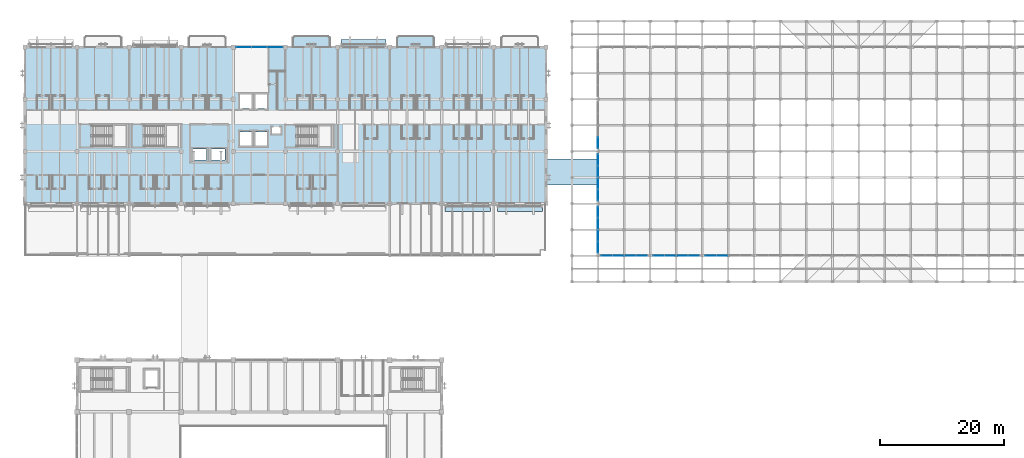
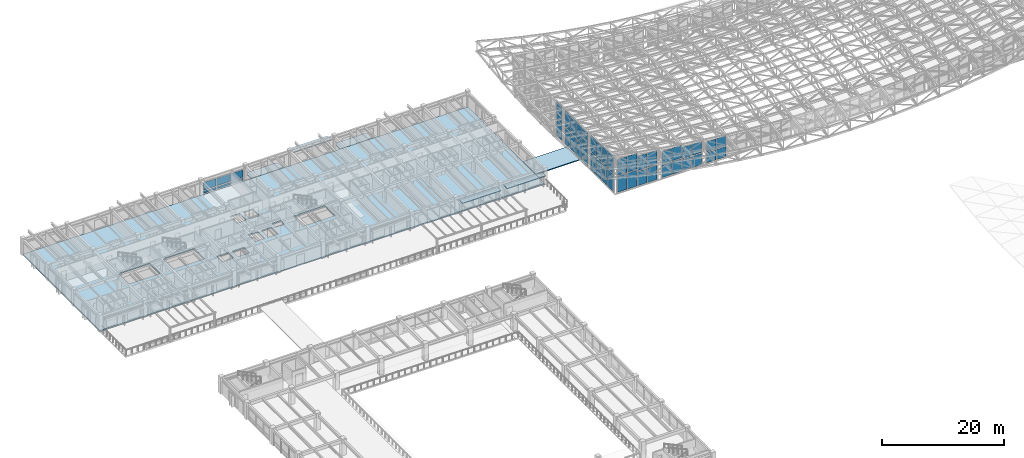
# One storey, part 64 of 111: 47 plates, 4 slabs, 14 elements without a shape of their own.
"""IFC4 building model written with IfcOpenShell, lengths in metres."""

import ifcopenshell
import ifcopenshell.guid

model = None  # the IFC model being written
_history = None  # IfcOwnerHistory: only IFC2X3 demands one
_inside = {}  # id of a spatial element -> (the spatial element, [elements in it])
_under = {}  # id of a project, library or spatial element -> (it, [spatial elements below it])
_declared = {}  # id of a project -> (the project, [libraries it declares])
_typed = {}  # id of a type object -> (the type object, [elements of that type])
_made_of = {}  # id of a material, layer set ... -> (it, [elements and type objects made of it])


def new_model(schema):
    """Start an empty IFC model of exactly this schema.

    Asked for "IFC4X3", IfcOpenShell would pick the latest addendum, in which some entities
    have other attributes; the version numbers below select the first issue.
    IFC2X3 requires an IfcOwnerHistory on every rooted entity: one is made here for all.
    """
    global model, _history
    if schema == "IFC4X3":
        model = ifcopenshell.file(schema_version=(4, 3, 0, 0))
    else:
        model = ifcopenshell.file(schema=schema)
    _inside.clear()
    _under.clear()
    _declared.clear()
    _typed.clear()
    _made_of.clear()
    _history = None
    if model.schema == "IFC2X3":
        org = make("IfcOrganization", Name="unknown")
        user = make(
            "IfcPersonAndOrganization",
            ThePerson=make("IfcPerson", FamilyName="unknown"),
            TheOrganization=org,
        )
        app = make(
            "IfcApplication",
            ApplicationDeveloper=org,
            Version="unknown",
            ApplicationFullName="unknown",
            ApplicationIdentifier="unknown",
        )
        _history = make(
            "IfcOwnerHistory",
            OwningUser=user,
            OwningApplication=app,
            ChangeAction="ADDED",
            CreationDate=0,
        )
    return model


def make(cls, **values):
    """One entity of the class cls with the attributes given. An attribute that is None is left unset."""
    return model.create_entity(
        cls, **{name: value for name, value in values.items() if value is not None}
    )


def rooted(cls, **values):
    """An entity with a GlobalId (a new one), such as an element, a storey or a relation."""
    return make(cls, GlobalId=ifcopenshell.guid.new(), OwnerHistory=_history, **values)


def si_unit(unit_type, name, prefix=None):
    """IfcSIUnit, for example si_unit("LENGTHUNIT", "METRE", prefix="MILLI")."""
    return make("IfcSIUnit", UnitType=unit_type, Prefix=prefix, Name=name)


def assignment(units):
    """IfcUnitAssignment: the units of a project."""
    return None if units is None else make("IfcUnitAssignment", Units=units)


def point(xyz):
    """IfcCartesianPoint."""
    return None if xyz is None else make("IfcCartesianPoint", Coordinates=xyz)


def direction(xyz):
    """IfcDirection."""
    return None if xyz is None else make("IfcDirection", DirectionRatios=xyz)


def frame(location, z_axis=None, x_axis=None):
    """IfcAxis2Placement3D, a coordinate frame: its origin and axes. An axis left out is left unset."""
    return make(
        "IfcAxis2Placement3D",
        Location=point(location),
        Axis=direction(z_axis),
        RefDirection=direction(x_axis),
    )


def frame_2d(location, x_axis=None):
    """IfcAxis2Placement2D, a coordinate frame in the plane: its origin and x axis."""
    return make(
        "IfcAxis2Placement2D", Location=point(location), RefDirection=direction(x_axis)
    )


def origin():
    """The frame at (0, 0, 0) with its axes left unset."""
    return frame((0.0, 0.0, 0.0))


def origin_2d():
    """The frame at (0, 0) in the plane with its x axis left unset."""
    return frame_2d((0.0, 0.0))


def place(relative_to, where):
    """IfcLocalPlacement: puts the frame where relative to a parent placement (None: the world)."""
    return make(
        "IfcLocalPlacement", PlacementRelTo=relative_to, RelativePlacement=where
    )


def context(
    kind, dimensions, precision=None, world=None, true_north=None, identifier=None
):
    """IfcGeometricRepresentationContext, for example the 3D "Model" context."""
    return make(
        "IfcGeometricRepresentationContext",
        ContextIdentifier=identifier,
        ContextType=kind,
        CoordinateSpaceDimension=dimensions,
        Precision=precision,
        WorldCoordinateSystem=world,
        TrueNorth=true_north,
    )


def subcontext(parent, identifier, kind, view, scale=None):
    """IfcGeometricRepresentationSubContext, for example "Body" below "Model"."""
    return make(
        "IfcGeometricRepresentationSubContext",
        ContextIdentifier=identifier,
        ContextType=kind,
        ParentContext=parent,
        TargetScale=scale,
        TargetView=view,
    )


def project(units=None, contexts=None):
    """IfcProject with its units and contexts."""
    return rooted(
        "IfcProject",
        Name="project",
        RepresentationContexts=contexts,
        UnitsInContext=assignment(units),
    )


def spatial(cls, under=None, at=None, **own):
    """A site, building, storey or space (cls), placed at a placement, below another one or the project."""
    s = rooted(cls, ObjectPlacement=at, **own)
    if under is not None:
        _under.setdefault(under.id(), (under, []))[1].append(s)
    return s


def polyline(points):
    """IfcPolyline through the points."""
    return make("IfcPolyline", Points=[point(p) for p in points])


def profile(cls, at=None, kind="AREA", **sizes):
    """A parametric profile (cls). Its sizes go by their IFC names, for example OverallWidth=200.0."""
    return make(cls, ProfileType=kind, Position=at, **sizes)


def rectangle(**sizes):
    """IfcRectangleProfileDef."""
    return profile("IfcRectangleProfileDef", **sizes)


def outline(outer, holes=None, kind="AREA"):
    """IfcArbitraryClosedProfileDef: a profile drawn as a closed curve; with holes, ...WithVoids."""
    if holes is None:
        return make("IfcArbitraryClosedProfileDef", ProfileType=kind, OuterCurve=outer)
    return make(
        "IfcArbitraryProfileDefWithVoids",
        ProfileType=kind,
        OuterCurve=outer,
        InnerCurves=holes,
    )


def extrude(swept, where, along, depth):
    """IfcExtrudedAreaSolid: the profile swept, set in the frame where, extruded along a direction by depth."""
    return make(
        "IfcExtrudedAreaSolid",
        SweptArea=swept,
        Position=where,
        ExtrudedDirection=direction(along),
        Depth=depth,
    )


def shape(context_of_items, identifier, shape_type, items):
    """IfcShapeRepresentation: the items that make up one representation, for example the "Body"."""
    return make(
        "IfcShapeRepresentation",
        ContextOfItems=context_of_items,
        RepresentationIdentifier=identifier,
        RepresentationType=shape_type,
        Items=items,
    )


def material(Name=None, Category=None):
    """IfcMaterial."""
    return make("IfcMaterial", Name=Name, Category=Category)


def layer(
    of_material, thickness, ventilated=None, Name=None, Category=None, Priority=None
):
    """IfcMaterialLayer: one layer of a wall or slab, of a material (None: an air gap)."""
    return make(
        "IfcMaterialLayer",
        Material=of_material,
        LayerThickness=thickness,
        IsVentilated=ventilated,
        Name=Name,
        Category=Category,
        Priority=Priority,
    )


def layer_set(layers, Name=None):
    """IfcMaterialLayerSet."""
    return make("IfcMaterialLayerSet", MaterialLayers=layers, LayerSetName=Name)


def made_of(thing, what):
    """Note that an element or type object is made of a material, layer set ...; save() writes the relation."""
    if what is not None:
        _made_of.setdefault(what.id(), (what, []))[1].append(thing)
    return thing


def type_object(cls, material=None, **own):
    """A type object (cls), such as IfcWallType, which elements share."""
    return made_of(rooted(cls, **own), material)


def element(
    cls,
    number,
    at=None,
    inside=None,
    cuts=None,
    type_object=None,
    material=None,
    context=None,
    identifier="Body",
    shape_type=None,
    held_by="IfcProductDefinitionShape",
    body=None,
    shapes=None,
    **own,
):
    """One element of the class cls, such as IfcWall. Its Tag is "e" and its number.

    at: its placement. inside: the storey or other place that contains it. cuts: it is an
    opening in that element (IfcRelVoidsElement). A single representation is given by context,
    identifier, shape_type and body (its items); several are given by shapes. held_by: the class
    of the entity that holds the representations. save() writes the other relations.
    """
    e = rooted(cls, Tag="e%d" % number, ObjectPlacement=at, **own)
    if body is not None:
        shapes = [shape(context, identifier, shape_type, body)]
    if shapes is not None:
        e.Representation = make(held_by, Representations=shapes)
    if inside is not None:
        _inside.setdefault(inside.id(), (inside, []))[1].append(e)
    if cuts is not None:
        rooted(
            "IfcRelVoidsElement", RelatingBuildingElement=cuts, RelatedOpeningElement=e
        )
    if type_object is not None:
        _typed.setdefault(type_object.id(), (type_object, []))[1].append(e)
    return made_of(e, material)


def aggregate(whole, parts):
    """IfcRelAggregates: a whole, such as a stair, and the parts it consists of."""
    return rooted("IfcRelAggregates", RelatingObject=whole, RelatedObjects=parts)


def save(model, path):
    """Write the relations noted so far, then the file.

    IfcRelAggregates (storeys below a building ...), IfcRelContainedInSpatialStructure (elements
    in a storey), IfcRelDefinesByType, IfcRelAssociatesMaterial and IfcRelDeclares: one each for
    every whole, place, type object, material and project.
    """
    for whole, parts in _under.values():
        aggregate(whole, parts)
    for where, things in _inside.values():
        rooted(
            "IfcRelContainedInSpatialStructure",
            RelatedElements=things,
            RelatingStructure=where,
        )
    for kind, things in _typed.values():
        rooted("IfcRelDefinesByType", RelatedObjects=things, RelatingType=kind)
    for what, things in _made_of.values():
        rooted("IfcRelAssociatesMaterial", RelatedObjects=things, RelatingMaterial=what)
    for by, libraries in _declared.values():
        rooted("IfcRelDeclares", RelatingContext=by, RelatedDefinitions=libraries)
    model.write(path)


model = new_model("IFC4")

# Units and contexts
model_context = context("Model", 3, precision=1e-05, world=origin(), true_north=direction((0.0, 1.0)))
body_context = subcontext(model_context, "Body", "Model", "MODEL_VIEW")
ifc_project = project(units=[si_unit("LENGTHUNIT", "METRE"), si_unit("AREAUNIT", "SQUARE_METRE"), si_unit("VOLUMEUNIT", "CUBIC_METRE"), si_unit("PLANEANGLEUNIT", "RADIAN"), si_unit("MASSUNIT", "GRAM", prefix="KILO")], contexts=[model_context])

# Site, building, storey
site_placement = place(None, origin())
site = spatial("IfcSite", under=ifc_project, at=site_placement, CompositionType="ELEMENT")
building_placement = place(site_placement, origin())
building = spatial("IfcBuilding", under=site, at=building_placement, Name="Cumbredor Promenade Congress Hotel", CompositionType="ELEMENT")
storey_placement = place(building_placement, frame((0.0, 0.0, 15.1201171875)))
storey = spatial("IfcBuildingStorey", under=building, at=storey_placement, Name="L04", CompositionType="ELEMENT", Elevation=15.1201171875)

# Slabs
ifc_material_1 = material(Name="Concrete C40/50", Category="concrete")
ifc_layer_1 = layer(ifc_material_1, 0.215087890625, Name="Concrete C40/50", Category="concrete")
ifc_layer_set_1 = layer_set([ifc_layer_1], Name="Concrete C40/50")
slab_type_1 = type_object("IfcSlabType", Name="Cantilevered Guestroom Balcony Slab 215mm", PredefinedType="FLOOR", material=ifc_layer_set_1)
slab_1_placement = place(storey_placement, frame((0.0, 0.0, -0.215087890625)))
element("IfcSlab", 1, at=slab_1_placement, inside=storey, type_object=slab_type_1, Name="L04 Cantilevered Guestroom Veranda Balcony 022", PredefinedType="FLOOR", context=body_context, shape_type="SweptSolid", body=[
    extrude(outline(polyline([(43.14990234375, 117.60009765625), (49.25, 117.60009765625), (49.25, 119.10009765625), (48.89990234375, 119.449951171875), (43.5, 119.449951171875), (43.14990234375, 119.10009765625), (43.14990234375, 117.60009765625)])), origin(), (0.0, 0.0, 1.0), 0.215087890625),
])
slab_2_placement = place(storey_placement, frame((0.0, 0.0, -0.215087890625)))
element("IfcSlab", 2, at=slab_2_placement, inside=storey, type_object=slab_type_1, Name="L04 Cantilevered Guestroom Veranda Balcony 023", PredefinedType="FLOOR", context=body_context, shape_type="SweptSolid", body=[
    extrude(outline(polyline([(59.949951171875, 117.60009765625), (66.050048828125, 117.60009765625), (66.050048828125, 119.10009765625), (65.699951171875, 119.449951171875), (60.300048828125, 119.449951171875), (59.949951171875, 119.10009765625), (59.949951171875, 117.60009765625)])), origin(), (0.0, 0.0, 1.0), 0.215087890625),
])

# Curtain wall, plates
ifc_material_2 = material(Name="Thermally broken anodized aluminium and low-E glass", Category="aluminium")
curtain_wall_type_1 = type_object("IfcCurtainWallType", Name="Stepped Pavilion Clerestory Curtain Wall CW-06", PredefinedType="NOTDEFINED", material=ifc_material_2)
curtain_wall_1_placement = place(storey_placement, origin())
curtain_wall_1 = element("IfcCurtainWall", 3, at=curtain_wall_1_placement, inside=storey, type_object=curtain_wall_type_1, Name="Pre-Function and Breakout Meeting Forum S Glazed Clerestory 1", PredefinedType="NOTDEFINED")
ifc_material_3 = material(Name="Laminated low-E solar-control glass", Category="glass")
ifc_layer_2 = layer(ifc_material_3, 0.031982421875, Name="Laminated low-E solar-control glass", Category="glass")
ifc_layer_set_2 = layer_set([ifc_layer_2], Name="Laminated low-E solar-control glass")
plate_type_1 = type_object("IfcPlateType", Name="Clerestory Glazed Vision Panel PNL-07", PredefinedType="CURTAIN_PANEL", material=ifc_layer_set_2)
plate_1_placement = place(storey_placement, frame((93.77001953125, 84.0, 0.169921875), z_axis=(0.0, 0.0, 1.0), x_axis=(1.0, 0.0, 0.0)))
plate_1 = element("IfcPlate", 4, at=plate_1_placement, type_object=plate_type_1, Name="Pre-Function and Breakout Meeting Forum S Glazed Clerestory 1 Glazing Panel 1.1", PredefinedType="CURTAIN_PANEL", context=body_context, shape_type="SweptSolid", body=[
    extrude(rectangle(XDim=1.77490234375, YDim=0.031982421875, at=origin_2d()), origin(), (0.0, 0.0, 1.0), 3.199951171875),
])
plate_2_placement = place(storey_placement, frame((93.77001953125, 84.0, 3.5498046875), z_axis=(0.0, 0.0, 1.0), x_axis=(1.0, 0.0, 0.0)))
plate_2 = element("IfcPlate", 5, at=plate_2_placement, type_object=plate_type_1, Name="Pre-Function and Breakout Meeting Forum S Glazed Clerestory 1 Glazing Panel 1.2", PredefinedType="CURTAIN_PANEL", context=body_context, shape_type="SweptSolid", body=[
    extrude(rectangle(XDim=1.77490234375, YDim=0.031982421875, at=origin_2d()), origin(), (0.0, 0.0, 1.0), 3.199951171875),
])
plate_3_placement = place(storey_placement, frame((95.6298828125, 84.0, 0.169921875), z_axis=(0.0, 0.0, 1.0), x_axis=(1.0, 0.0, 0.0)))
plate_3 = element("IfcPlate", 6, at=plate_3_placement, type_object=plate_type_1, Name="Pre-Function and Breakout Meeting Forum S Glazed Clerestory 1 Glazing Panel 2.1", PredefinedType="CURTAIN_PANEL", context=body_context, shape_type="SweptSolid", body=[
    extrude(rectangle(XDim=1.77490234375, YDim=0.031982421875, at=origin_2d()), origin(), (0.0, 0.0, 1.0), 3.199951171875),
])
plate_4_placement = place(storey_placement, frame((95.6298828125, 84.0, 3.5498046875), z_axis=(0.0, 0.0, 1.0), x_axis=(1.0, 0.0, 0.0)))
plate_4 = element("IfcPlate", 7, at=plate_4_placement, type_object=plate_type_1, Name="Pre-Function and Breakout Meeting Forum S Glazed Clerestory 1 Glazing Panel 2.2", PredefinedType="CURTAIN_PANEL", context=body_context, shape_type="SweptSolid", body=[
    extrude(rectangle(XDim=1.77490234375, YDim=0.031982421875, at=origin_2d()), origin(), (0.0, 0.0, 1.0), 3.199951171875),
])
aggregate(curtain_wall_1, [plate_1, plate_2, plate_3, plate_4])

curtain_wall_2_placement = place(storey_placement, origin())
curtain_wall_2 = element("IfcCurtainWall", 8, at=curtain_wall_2_placement, inside=storey, type_object=curtain_wall_type_1, Name="Pre-Function and Breakout Meeting Forum S Glazed Clerestory 2", PredefinedType="NOTDEFINED")
plate_5_placement = place(storey_placement, frame((97.570068359375, 84.0, 0.169921875), z_axis=(0.0, 0.0, 1.0), x_axis=(1.0, 0.0, 0.0)))
plate_5 = element("IfcPlate", 9, at=plate_5_placement, type_object=plate_type_1, Name="Pre-Function and Breakout Meeting Forum S Glazed Clerestory 2 Glazing Panel 1.1", PredefinedType="CURTAIN_PANEL", context=body_context, shape_type="SweptSolid", body=[
    extrude(rectangle(XDim=1.77490234375, YDim=0.031982421875, at=origin_2d()), origin(), (0.0, 0.0, 1.0), 2.85009765625),
])
plate_6_placement = place(storey_placement, frame((97.570068359375, 84.0, 3.19970703125), z_axis=(0.0, 0.0, 1.0), x_axis=(1.0, 0.0, 0.0)))
plate_6 = element("IfcPlate", 10, at=plate_6_placement, type_object=plate_type_1, Name="Pre-Function and Breakout Meeting Forum S Glazed Clerestory 2 Glazing Panel 1.2", PredefinedType="CURTAIN_PANEL", context=body_context, shape_type="SweptSolid", body=[
    extrude(rectangle(XDim=1.77490234375, YDim=0.031982421875, at=origin_2d()), origin(), (0.0, 0.0, 1.0), 2.840087890625),
])
plate_7_placement = place(storey_placement, frame((99.429931640625, 84.0, 0.169921875), z_axis=(0.0, 0.0, 1.0), x_axis=(1.0, 0.0, 0.0)))
plate_7 = element("IfcPlate", 11, at=plate_7_placement, type_object=plate_type_1, Name="Pre-Function and Breakout Meeting Forum S Glazed Clerestory 2 Glazing Panel 2.1", PredefinedType="CURTAIN_PANEL", context=body_context, shape_type="SweptSolid", body=[
    extrude(rectangle(XDim=1.77490234375, YDim=0.031982421875, at=origin_2d()), origin(), (0.0, 0.0, 1.0), 2.85009765625),
])
plate_8_placement = place(storey_placement, frame((99.429931640625, 84.0, 3.19970703125), z_axis=(0.0, 0.0, 1.0), x_axis=(1.0, 0.0, 0.0)))
plate_8 = element("IfcPlate", 12, at=plate_8_placement, type_object=plate_type_1, Name="Pre-Function and Breakout Meeting Forum S Glazed Clerestory 2 Glazing Panel 2.2", PredefinedType="CURTAIN_PANEL", context=body_context, shape_type="SweptSolid", body=[
    extrude(rectangle(XDim=1.77490234375, YDim=0.031982421875, at=origin_2d()), origin(), (0.0, 0.0, 1.0), 2.840087890625),
])
aggregate(curtain_wall_2, [plate_5, plate_6, plate_7, plate_8])

curtain_wall_3_placement = place(storey_placement, origin())
curtain_wall_3 = element("IfcCurtainWall", 13, at=curtain_wall_3_placement, inside=storey, type_object=curtain_wall_type_1, Name="Pre-Function and Breakout Meeting Forum S Glazed Clerestory 3", PredefinedType="NOTDEFINED")
plate_9_placement = place(storey_placement, frame((102.169921875, 84.0, 0.169921875), z_axis=(0.0, 0.0, 1.0), x_axis=(1.0, 0.0, 0.0)))
plate_9 = element("IfcPlate", 14, at=plate_9_placement, type_object=plate_type_1, Name="Pre-Function and Breakout Meeting Forum S Glazed Clerestory 3 Glazing Panel 1.1", PredefinedType="CURTAIN_PANEL", context=body_context, shape_type="SweptSolid", body=[
    extrude(rectangle(XDim=1.77490234375, YDim=0.031982421875, at=origin_2d()), origin(), (0.0, 0.0, 1.0), 2.530029296875),
])
plate_10_placement = place(storey_placement, frame((102.169921875, 84.0, 2.8798828125), z_axis=(0.0, 0.0, 1.0), x_axis=(1.0, 0.0, 0.0)))
plate_10 = element("IfcPlate", 15, at=plate_10_placement, type_object=plate_type_1, Name="Pre-Function and Breakout Meeting Forum S Glazed Clerestory 3 Glazing Panel 1.2", PredefinedType="CURTAIN_PANEL", context=body_context, shape_type="SweptSolid", body=[
    extrude(rectangle(XDim=1.77490234375, YDim=0.031982421875, at=origin_2d()), origin(), (0.0, 0.0, 1.0), 2.530029296875),
])
plate_11_placement = place(storey_placement, frame((104.030029296875, 84.0, 0.169921875), z_axis=(0.0, 0.0, 1.0), x_axis=(1.0, 0.0, 0.0)))
plate_11 = element("IfcPlate", 16, at=plate_11_placement, type_object=plate_type_1, Name="Pre-Function and Breakout Meeting Forum S Glazed Clerestory 3 Glazing Panel 2.1", PredefinedType="CURTAIN_PANEL", context=body_context, shape_type="SweptSolid", body=[
    extrude(rectangle(XDim=1.77490234375, YDim=0.031982421875, at=origin_2d()), origin(), (0.0, 0.0, 1.0), 2.530029296875),
])
plate_12_placement = place(storey_placement, frame((104.030029296875, 84.0, 2.8798828125), z_axis=(0.0, 0.0, 1.0), x_axis=(1.0, 0.0, 0.0)))
plate_12 = element("IfcPlate", 17, at=plate_12_placement, type_object=plate_type_1, Name="Pre-Function and Breakout Meeting Forum S Glazed Clerestory 3 Glazing Panel 2.2", PredefinedType="CURTAIN_PANEL", context=body_context, shape_type="SweptSolid", body=[
    extrude(rectangle(XDim=1.77490234375, YDim=0.031982421875, at=origin_2d()), origin(), (0.0, 0.0, 1.0), 2.530029296875),
])
aggregate(curtain_wall_3, [plate_9, plate_10, plate_11, plate_12])

curtain_wall_4_placement = place(storey_placement, origin())
curtain_wall_4 = element("IfcCurtainWall", 18, at=curtain_wall_4_placement, inside=storey, type_object=curtain_wall_type_1, Name="Pre-Function and Breakout Meeting Forum S Glazed Clerestory 4", PredefinedType="NOTDEFINED")
plate_13_placement = place(storey_placement, frame((105.969970703125, 84.0, 0.169921875), z_axis=(0.0, 0.0, 1.0), x_axis=(1.0, 0.0, 0.0)))
plate_13 = element("IfcPlate", 19, at=plate_13_placement, type_object=plate_type_1, Name="Pre-Function and Breakout Meeting Forum S Glazed Clerestory 4 Glazing Panel 1.1", PredefinedType="CURTAIN_PANEL", context=body_context, shape_type="SweptSolid", body=[
    extrude(rectangle(XDim=1.77490234375, YDim=0.031982421875, at=origin_2d()), origin(), (0.0, 0.0, 1.0), 2.25),
])
plate_14_placement = place(storey_placement, frame((105.969970703125, 84.0, 2.60009765625), z_axis=(0.0, 0.0, 1.0), x_axis=(1.0, 0.0, 0.0)))
plate_14 = element("IfcPlate", 20, at=plate_14_placement, type_object=plate_type_1, Name="Pre-Function and Breakout Meeting Forum S Glazed Clerestory 4 Glazing Panel 1.2", PredefinedType="CURTAIN_PANEL", context=body_context, shape_type="SweptSolid", body=[
    extrude(rectangle(XDim=1.77490234375, YDim=0.031982421875, at=origin_2d()), origin(), (0.0, 0.0, 1.0), 2.260009765625),
])
plate_15_placement = place(storey_placement, frame((107.830078125, 84.0, 0.169921875), z_axis=(0.0, 0.0, 1.0), x_axis=(1.0, 0.0, 0.0)))
plate_15 = element("IfcPlate", 21, at=plate_15_placement, type_object=plate_type_1, Name="Pre-Function and Breakout Meeting Forum S Glazed Clerestory 4 Glazing Panel 2.1", PredefinedType="CURTAIN_PANEL", context=body_context, shape_type="SweptSolid", body=[
    extrude(rectangle(XDim=1.77490234375, YDim=0.031982421875, at=origin_2d()), origin(), (0.0, 0.0, 1.0), 2.25),
])
plate_16_placement = place(storey_placement, frame((107.830078125, 84.0, 2.60009765625), z_axis=(0.0, 0.0, 1.0), x_axis=(1.0, 0.0, 0.0)))
plate_16 = element("IfcPlate", 22, at=plate_16_placement, type_object=plate_type_1, Name="Pre-Function and Breakout Meeting Forum S Glazed Clerestory 4 Glazing Panel 2.2", PredefinedType="CURTAIN_PANEL", context=body_context, shape_type="SweptSolid", body=[
    extrude(rectangle(XDim=1.77490234375, YDim=0.031982421875, at=origin_2d()), origin(), (0.0, 0.0, 1.0), 2.260009765625),
])
aggregate(curtain_wall_4, [plate_13, plate_14, plate_15, plate_16])

curtain_wall_5_placement = place(storey_placement, origin())
curtain_wall_5 = element("IfcCurtainWall", 23, at=curtain_wall_5_placement, inside=storey, type_object=curtain_wall_type_1, Name="Pre-Function and Breakout Meeting Forum S Glazed Clerestory 5", PredefinedType="NOTDEFINED")
plate_17_placement = place(storey_placement, frame((110.570068359375, 84.0, 0.169921875), z_axis=(0.0, 0.0, 1.0), x_axis=(1.0, 0.0, 0.0)))
plate_17 = element("IfcPlate", 24, at=plate_17_placement, type_object=plate_type_1, Name="Pre-Function and Breakout Meeting Forum S Glazed Clerestory 5 Glazing Panel 1.1", PredefinedType="CURTAIN_PANEL", context=body_context, shape_type="SweptSolid", body=[
    extrude(rectangle(XDim=1.77490234375, YDim=0.031982421875, at=origin_2d()), origin(), (0.0, 0.0, 1.0), 2.02001953125),
])
plate_18_placement = place(storey_placement, frame((110.570068359375, 84.0, 2.369873046875), z_axis=(0.0, 0.0, 1.0), x_axis=(1.0, 0.0, 0.0)))
plate_18 = element("IfcPlate", 25, at=plate_18_placement, type_object=plate_type_1, Name="Pre-Function and Breakout Meeting Forum S Glazed Clerestory 5 Glazing Panel 1.2", PredefinedType="CURTAIN_PANEL", context=body_context, shape_type="SweptSolid", body=[
    extrude(rectangle(XDim=1.77490234375, YDim=0.031982421875, at=origin_2d()), origin(), (0.0, 0.0, 1.0), 2.02001953125),
])
plate_19_placement = place(storey_placement, frame((112.429931640625, 84.0, 0.169921875), z_axis=(0.0, 0.0, 1.0), x_axis=(1.0, 0.0, 0.0)))
plate_19 = element("IfcPlate", 26, at=plate_19_placement, type_object=plate_type_1, Name="Pre-Function and Breakout Meeting Forum S Glazed Clerestory 5 Glazing Panel 2.1", PredefinedType="CURTAIN_PANEL", context=body_context, shape_type="SweptSolid", body=[
    extrude(rectangle(XDim=1.77490234375, YDim=0.031982421875, at=origin_2d()), origin(), (0.0, 0.0, 1.0), 2.02001953125),
])
plate_20_placement = place(storey_placement, frame((112.429931640625, 84.0, 2.369873046875), z_axis=(0.0, 0.0, 1.0), x_axis=(1.0, 0.0, 0.0)))
plate_20 = element("IfcPlate", 27, at=plate_20_placement, type_object=plate_type_1, Name="Pre-Function and Breakout Meeting Forum S Glazed Clerestory 5 Glazing Panel 2.2", PredefinedType="CURTAIN_PANEL", context=body_context, shape_type="SweptSolid", body=[
    extrude(rectangle(XDim=1.77490234375, YDim=0.031982421875, at=origin_2d()), origin(), (0.0, 0.0, 1.0), 2.02001953125),
])
aggregate(curtain_wall_5, [plate_17, plate_18, plate_19, plate_20])

curtain_wall_6_placement = place(storey_placement, origin())
curtain_wall_6 = element("IfcCurtainWall", 28, at=curtain_wall_6_placement, inside=storey, type_object=curtain_wall_type_1, Name="Pre-Function and Breakout Meeting Forum W Glazed Clerestory 1", PredefinedType="NOTDEFINED")
plate_21_placement = place(storey_placement, frame((92.39990234375, 85.3701171875, 0.169921875), z_axis=(0.0, 0.0, 1.0), x_axis=(0.0, 1.0, 0.0)))
plate_21 = element("IfcPlate", 29, at=plate_21_placement, type_object=plate_type_1, Name="Pre-Function and Breakout Meeting Forum W Glazed Clerestory 1 Glazing Panel 1.1", PredefinedType="CURTAIN_PANEL", context=body_context, shape_type="SweptSolid", body=[
    extrude(rectangle(XDim=1.77490234375, YDim=0.031982421875, at=origin_2d()), origin(), (0.0, 0.0, 1.0), 3.449951171875),
])
plate_22_placement = place(storey_placement, frame((92.39990234375, 85.3701171875, 3.7998046875), z_axis=(0.0, 0.0, 1.0), x_axis=(0.0, 1.0, 0.0)))
plate_22 = element("IfcPlate", 30, at=plate_22_placement, type_object=plate_type_1, Name="Pre-Function and Breakout Meeting Forum W Glazed Clerestory 1 Glazing Panel 1.2", PredefinedType="CURTAIN_PANEL", context=body_context, shape_type="SweptSolid", body=[
    extrude(rectangle(XDim=1.77490234375, YDim=0.031982421875, at=origin_2d()), origin(), (0.0, 0.0, 1.0), 3.449951171875),
])
plate_23_placement = place(storey_placement, frame((92.39990234375, 87.22998046875, 0.169921875), z_axis=(0.0, 0.0, 1.0), x_axis=(0.0, 1.0, 0.0)))
plate_23 = element("IfcPlate", 31, at=plate_23_placement, type_object=plate_type_1, Name="Pre-Function and Breakout Meeting Forum W Glazed Clerestory 1 Glazing Panel 2.1", PredefinedType="CURTAIN_PANEL", context=body_context, shape_type="SweptSolid", body=[
    extrude(rectangle(XDim=1.77490234375, YDim=0.031982421875, at=origin_2d()), origin(), (0.0, 0.0, 1.0), 3.449951171875),
])
plate_24_placement = place(storey_placement, frame((92.39990234375, 87.22998046875, 3.7998046875), z_axis=(0.0, 0.0, 1.0), x_axis=(0.0, 1.0, 0.0)))
plate_24 = element("IfcPlate", 32, at=plate_24_placement, type_object=plate_type_1, Name="Pre-Function and Breakout Meeting Forum W Glazed Clerestory 1 Glazing Panel 2.2", PredefinedType="CURTAIN_PANEL", context=body_context, shape_type="SweptSolid", body=[
    extrude(rectangle(XDim=1.77490234375, YDim=0.031982421875, at=origin_2d()), origin(), (0.0, 0.0, 1.0), 3.449951171875),
])
aggregate(curtain_wall_6, [plate_21, plate_22, plate_23, plate_24])

curtain_wall_7_placement = place(storey_placement, origin())
curtain_wall_7 = element("IfcCurtainWall", 33, at=curtain_wall_7_placement, inside=storey, type_object=curtain_wall_type_1, Name="Pre-Function and Breakout Meeting Forum W Glazed Clerestory 2", PredefinedType="NOTDEFINED")
plate_25_placement = place(storey_placement, frame((92.39990234375, 89.169921875, 0.169921875), z_axis=(0.0, 0.0, 1.0), x_axis=(0.0, 1.0, 0.0)))
plate_25 = element("IfcPlate", 34, at=plate_25_placement, type_object=plate_type_1, Name="Pre-Function and Breakout Meeting Forum W Glazed Clerestory 2 Glazing Panel 1.1", PredefinedType="CURTAIN_PANEL", context=body_context, shape_type="SweptSolid", body=[
    extrude(rectangle(XDim=1.77490234375, YDim=0.031982421875, at=origin_2d()), origin(), (0.0, 0.0, 1.0), 3.35009765625),
])
plate_26_placement = place(storey_placement, frame((92.39990234375, 89.169921875, 3.69970703125), z_axis=(0.0, 0.0, 1.0), x_axis=(0.0, 1.0, 0.0)))
plate_26 = element("IfcPlate", 35, at=plate_26_placement, type_object=plate_type_1, Name="Pre-Function and Breakout Meeting Forum W Glazed Clerestory 2 Glazing Panel 1.2", PredefinedType="CURTAIN_PANEL", context=body_context, shape_type="SweptSolid", body=[
    extrude(rectangle(XDim=1.77490234375, YDim=0.031982421875, at=origin_2d()), origin(), (0.0, 0.0, 1.0), 3.340087890625),
])
plate_27_placement = place(storey_placement, frame((92.39990234375, 91.030029296875, 0.169921875), z_axis=(0.0, 0.0, 1.0), x_axis=(0.0, 1.0, 0.0)))
plate_27 = element("IfcPlate", 36, at=plate_27_placement, type_object=plate_type_1, Name="Pre-Function and Breakout Meeting Forum W Glazed Clerestory 2 Glazing Panel 2.1", PredefinedType="CURTAIN_PANEL", context=body_context, shape_type="SweptSolid", body=[
    extrude(rectangle(XDim=1.77490234375, YDim=0.031982421875, at=origin_2d()), origin(), (0.0, 0.0, 1.0), 3.35009765625),
])
plate_28_placement = place(storey_placement, frame((92.39990234375, 91.030029296875, 3.69970703125), z_axis=(0.0, 0.0, 1.0), x_axis=(0.0, 1.0, 0.0)))
plate_28 = element("IfcPlate", 37, at=plate_28_placement, type_object=plate_type_1, Name="Pre-Function and Breakout Meeting Forum W Glazed Clerestory 2 Glazing Panel 2.2", PredefinedType="CURTAIN_PANEL", context=body_context, shape_type="SweptSolid", body=[
    extrude(rectangle(XDim=1.77490234375, YDim=0.031982421875, at=origin_2d()), origin(), (0.0, 0.0, 1.0), 3.340087890625),
])
aggregate(curtain_wall_7, [plate_25, plate_26, plate_27, plate_28])

curtain_wall_8_placement = place(storey_placement, origin())
curtain_wall_8 = element("IfcCurtainWall", 38, at=curtain_wall_8_placement, inside=storey, type_object=curtain_wall_type_1, Name="Pre-Function and Breakout Meeting Forum W Glazed Clerestory 3", PredefinedType="NOTDEFINED")
plate_29_placement = place(storey_placement, frame((92.39990234375, 93.77001953125, 0.169921875), z_axis=(0.0, 0.0, 1.0), x_axis=(0.0, 1.0, 0.0)))
plate_29 = element("IfcPlate", 39, at=plate_29_placement, type_object=plate_type_1, Name="Pre-Function and Breakout Meeting Forum W Glazed Clerestory 3 Glazing Panel 1.1", PredefinedType="CURTAIN_PANEL", context=body_context, shape_type="SweptSolid", body=[
    extrude(rectangle(XDim=1.77490234375, YDim=0.031982421875, at=origin_2d()), origin(), (0.0, 0.0, 1.0), 3.280029296875),
])
plate_30_placement = place(storey_placement, frame((92.39990234375, 93.77001953125, 3.6298828125), z_axis=(0.0, 0.0, 1.0), x_axis=(0.0, 1.0, 0.0)))
plate_30 = element("IfcPlate", 40, at=plate_30_placement, type_object=plate_type_1, Name="Pre-Function and Breakout Meeting Forum W Glazed Clerestory 3 Glazing Panel 1.2", PredefinedType="CURTAIN_PANEL", context=body_context, shape_type="SweptSolid", body=[
    extrude(rectangle(XDim=1.77490234375, YDim=0.031982421875, at=origin_2d()), origin(), (0.0, 0.0, 1.0), 3.280029296875),
])
plate_31_placement = place(storey_placement, frame((92.39990234375, 95.6298828125, 0.169921875), z_axis=(0.0, 0.0, 1.0), x_axis=(0.0, 1.0, 0.0)))
plate_31 = element("IfcPlate", 41, at=plate_31_placement, type_object=plate_type_1, Name="Pre-Function and Breakout Meeting Forum W Glazed Clerestory 3 Glazing Panel 2.1", PredefinedType="CURTAIN_PANEL", context=body_context, shape_type="SweptSolid", body=[
    extrude(rectangle(XDim=1.77490234375, YDim=0.031982421875, at=origin_2d()), origin(), (0.0, 0.0, 1.0), 3.280029296875),
])
plate_32_placement = place(storey_placement, frame((92.39990234375, 95.6298828125, 3.6298828125), z_axis=(0.0, 0.0, 1.0), x_axis=(0.0, 1.0, 0.0)))
plate_32 = element("IfcPlate", 42, at=plate_32_placement, type_object=plate_type_1, Name="Pre-Function and Breakout Meeting Forum W Glazed Clerestory 3 Glazing Panel 2.2", PredefinedType="CURTAIN_PANEL", context=body_context, shape_type="SweptSolid", body=[
    extrude(rectangle(XDim=1.77490234375, YDim=0.031982421875, at=origin_2d()), origin(), (0.0, 0.0, 1.0), 3.280029296875),
])
aggregate(curtain_wall_8, [plate_29, plate_30, plate_31, plate_32])

curtain_wall_9_placement = place(storey_placement, origin())
curtain_wall_9 = element("IfcCurtainWall", 43, at=curtain_wall_9_placement, inside=storey, type_object=curtain_wall_type_1, Name="Pre-Function and Breakout Meeting Forum W Glazed Clerestory 4", PredefinedType="NOTDEFINED")
plate_33_placement = place(storey_placement, frame((92.39990234375, 97.570068359375, 0.169921875), z_axis=(0.0, 0.0, 1.0), x_axis=(0.0, 1.0, 0.0)))
plate_33 = element("IfcPlate", 44, at=plate_33_placement, type_object=plate_type_1, Name="Pre-Function and Breakout Meeting Forum W Glazed Clerestory 4 Glazing Panel 1.1", PredefinedType="CURTAIN_PANEL", context=body_context, shape_type="SweptSolid", body=[
    extrude(rectangle(XDim=1.77490234375, YDim=0.031982421875, at=origin_2d()), origin(), (0.0, 0.0, 1.0), 3.260009765625),
])
plate_34_placement = place(storey_placement, frame((92.39990234375, 97.570068359375, 3.60986328125), z_axis=(0.0, 0.0, 1.0), x_axis=(0.0, 1.0, 0.0)))
plate_34 = element("IfcPlate", 45, at=plate_34_placement, type_object=plate_type_1, Name="Pre-Function and Breakout Meeting Forum W Glazed Clerestory 4 Glazing Panel 1.2", PredefinedType="CURTAIN_PANEL", context=body_context, shape_type="SweptSolid", body=[
    extrude(rectangle(XDim=1.77490234375, YDim=0.031982421875, at=origin_2d()), origin(), (0.0, 0.0, 1.0), 3.260009765625),
])
plate_35_placement = place(storey_placement, frame((92.39990234375, 99.429931640625, 0.169921875), z_axis=(0.0, 0.0, 1.0), x_axis=(0.0, 1.0, 0.0)))
plate_35 = element("IfcPlate", 46, at=plate_35_placement, type_object=plate_type_1, Name="Pre-Function and Breakout Meeting Forum W Glazed Clerestory 4 Glazing Panel 2.1", PredefinedType="CURTAIN_PANEL", context=body_context, shape_type="SweptSolid", body=[
    extrude(rectangle(XDim=1.77490234375, YDim=0.031982421875, at=origin_2d()), origin(), (0.0, 0.0, 1.0), 3.260009765625),
])
plate_36_placement = place(storey_placement, frame((92.39990234375, 99.429931640625, 3.60986328125), z_axis=(0.0, 0.0, 1.0), x_axis=(0.0, 1.0, 0.0)))
plate_36 = element("IfcPlate", 47, at=plate_36_placement, type_object=plate_type_1, Name="Pre-Function and Breakout Meeting Forum W Glazed Clerestory 4 Glazing Panel 2.2", PredefinedType="CURTAIN_PANEL", context=body_context, shape_type="SweptSolid", body=[
    extrude(rectangle(XDim=1.77490234375, YDim=0.031982421875, at=origin_2d()), origin(), (0.0, 0.0, 1.0), 3.260009765625),
])
aggregate(curtain_wall_9, [plate_33, plate_34, plate_35, plate_36])

curtain_wall_10_placement = place(storey_placement, origin())
curtain_wall_10 = element("IfcCurtainWall", 48, at=curtain_wall_10_placement, inside=storey, type_object=curtain_wall_type_1, Name="Pre-Function and Breakout Meeting Forum W Glazed Clerestory 5", PredefinedType="NOTDEFINED")
plate_37_placement = place(storey_placement, frame((92.39990234375, 102.169921875, 0.169921875), z_axis=(0.0, 0.0, 1.0), x_axis=(0.0, 1.0, 0.0)))
plate_37 = element("IfcPlate", 49, at=plate_37_placement, type_object=plate_type_1, Name="Pre-Function and Breakout Meeting Forum W Glazed Clerestory 5 Glazing Panel 1.1", PredefinedType="CURTAIN_PANEL", context=body_context, shape_type="SweptSolid", body=[
    extrude(rectangle(XDim=1.77490234375, YDim=0.031982421875, at=origin_2d()), origin(), (0.0, 0.0, 1.0), 3.260009765625),
])
plate_38_placement = place(storey_placement, frame((92.39990234375, 102.169921875, 3.60986328125), z_axis=(0.0, 0.0, 1.0), x_axis=(0.0, 1.0, 0.0)))
plate_38 = element("IfcPlate", 50, at=plate_38_placement, type_object=plate_type_1, Name="Pre-Function and Breakout Meeting Forum W Glazed Clerestory 5 Glazing Panel 1.2", PredefinedType="CURTAIN_PANEL", context=body_context, shape_type="SweptSolid", body=[
    extrude(rectangle(XDim=1.77490234375, YDim=0.031982421875, at=origin_2d()), origin(), (0.0, 0.0, 1.0), 3.260009765625),
])
aggregate(curtain_wall_10, [plate_37, plate_38])

curtain_wall_type_2 = type_object("IfcCurtainWallType", Name="Unitised Bronze Curtain Wall CW-01", PredefinedType="NOTDEFINED", material=ifc_material_2)
curtain_wall_11_placement = place(storey_placement, origin())
curtain_wall_11 = element("IfcCurtainWall", 51, at=curtain_wall_11_placement, inside=storey, type_object=curtain_wall_type_2, Name="L04 Stepped Congress Hotel Wing North Curtain Wall 5", PredefinedType="NOTDEFINED")
ifc_layer_3 = layer(ifc_material_3, 0.028076171875, Name="Laminated low-E solar-control glass", Category="glass")
ifc_layer_set_3 = layer_set([ifc_layer_3], Name="Laminated low-E solar-control glass")
plate_type_2 = type_object("IfcPlateType", Name="Glazed Vision Panel PNL-03", PredefinedType="CURTAIN_PANEL", material=ifc_layer_set_3)
plate_39_placement = place(storey_placement, frame((35.27001953125, 117.60009765625, 0.809814453125), z_axis=(0.0, 0.0, 1.0), x_axis=(1.0, 0.0, 0.0)))
plate_39 = element("IfcPlate", 52, at=plate_39_placement, type_object=plate_type_2, Name="L04 Stepped Congress Hotel Wing North Curtain Wall 5 Glazing Panel 1.2", PredefinedType="CURTAIN_PANEL", context=body_context, shape_type="SweptSolid", body=[
    extrude(rectangle(XDim=2.449951171875, YDim=0.028076171875, at=origin_2d()), origin(), (0.0, 0.0, 1.0), 1.5),
])
plate_40_placement = place(storey_placement, frame((37.800048828125, 117.60009765625, 0.809814453125), z_axis=(0.0, 0.0, 1.0), x_axis=(1.0, 0.0, 0.0)))
plate_40 = element("IfcPlate", 53, at=plate_40_placement, type_object=plate_type_2, Name="L04 Stepped Congress Hotel Wing North Curtain Wall 5 Glazing Panel 2.2", PredefinedType="CURTAIN_PANEL", context=body_context, shape_type="SweptSolid", body=[
    extrude(rectangle(XDim=2.449951171875, YDim=0.028076171875, at=origin_2d()), origin(), (0.0, 0.0, 1.0), 1.5),
])
plate_41_placement = place(storey_placement, frame((40.330078125, 117.60009765625, 0.809814453125), z_axis=(0.0, 0.0, 1.0), x_axis=(1.0, 0.0, 0.0)))
plate_41 = element("IfcPlate", 54, at=plate_41_placement, type_object=plate_type_2, Name="L04 Stepped Congress Hotel Wing North Curtain Wall 5 Glazing Panel 3.2", PredefinedType="CURTAIN_PANEL", context=body_context, shape_type="SweptSolid", body=[
    extrude(rectangle(XDim=2.449951171875, YDim=0.028076171875, at=origin_2d()), origin(), (0.0, 0.0, 1.0), 1.5),
])

# Curtain wall, plate
curtain_wall_type_3 = type_object("IfcCurtainWallType", Name="Solar Brise-Soleil Screen Assembly CW-07", PredefinedType="NOTDEFINED", material=ifc_material_2)
curtain_wall_12_placement = place(storey_placement, origin())
curtain_wall_12 = element("IfcCurtainWall", 55, at=curtain_wall_12_placement, inside=storey, type_object=curtain_wall_type_3, Name="L04 Hospitality Brise-Soleil Screen 072", PredefinedType="NOTDEFINED")
ifc_material_4 = material(Name="Precast concrete C40/50", Category="concrete")
ifc_layer_4 = layer(ifc_material_4, 0.14501953125, Name="Precast concrete C40/50", Category="concrete")
ifc_layer_set_4 = layer_set([ifc_layer_4], Name="Precast concrete C40/50")
plate_type_3 = type_object("IfcPlateType", Name="Horizontal Precast Sun-Hood Eyebrow Plate 145mm", PredefinedType="USERDEFINED", material=ifc_layer_set_4)
plate_42_placement = place(storey_placement, frame((71.39990234375, 91.808837890625, 2.333984375), z_axis=(0.0, 0.0, 1.0), x_axis=(1.0, 0.0, 0.0)))
plate_42 = element("IfcPlate", 56, at=plate_42_placement, type_object=plate_type_3, Name="L04 Horizontal Sun-Hood Eyebrow 072", ObjectType="SUN HOOD", PredefinedType="USERDEFINED", context=body_context, shape_type="SweptSolid", body=[
    extrude(rectangle(XDim=7.298095703125, YDim=1.342529296875, at=origin_2d()), origin(), (0.0, 0.0, 1.0), 0.14501953125),
])
aggregate(curtain_wall_12, [plate_42])

curtain_wall_13_placement = place(storey_placement, origin())
curtain_wall_13 = element("IfcCurtainWall", 57, at=curtain_wall_13_placement, inside=storey, type_object=curtain_wall_type_3, Name="L04 Hospitality Brise-Soleil Screen 073", PredefinedType="NOTDEFINED")
plate_43_placement = place(storey_placement, frame((79.800048828125, 91.802490234375, 2.333984375), z_axis=(0.0, 0.0, 1.0), x_axis=(1.0, 0.0, 0.0)))
plate_43 = element("IfcPlate", 58, at=plate_43_placement, type_object=plate_type_3, Name="L04 Horizontal Sun-Hood Eyebrow 073", ObjectType="SUN HOOD", PredefinedType="USERDEFINED", context=body_context, shape_type="SweptSolid", body=[
    extrude(rectangle(XDim=7.298095703125, YDim=1.35498046875, at=origin_2d()), origin(), (0.0, 0.0, 1.0), 0.14501953125),
])
aggregate(curtain_wall_13, [plate_43])

curtain_wall_14_placement = place(storey_placement, origin())
curtain_wall_14 = element("IfcCurtainWall", 59, at=curtain_wall_14_placement, inside=storey, type_object=curtain_wall_type_3, Name="L04 Hospitality Brise-Soleil Screen 076", PredefinedType="NOTDEFINED")
plate_44_placement = place(storey_placement, frame((54.60009765625, 118.172607421875, 2.333984375), z_axis=(0.0, 0.0, 1.0), x_axis=(1.0, 0.0, 0.0)))
plate_44 = element("IfcPlate", 60, at=plate_44_placement, type_object=plate_type_3, Name="L04 Horizontal Sun-Hood Eyebrow 076", ObjectType="SUN HOOD", PredefinedType="USERDEFINED", context=body_context, shape_type="SweptSolid", body=[
    extrude(rectangle(XDim=7.298095703125, YDim=1.304931640625, at=origin_2d()), origin(), (0.0, 0.0, 1.0), 0.14501953125),
])
aggregate(curtain_wall_14, [plate_44])

# Slab
ifc_layer_5 = layer(ifc_material_1, 0.239990234375, Name="Concrete C40/50", Category="concrete")
ifc_layer_set_5 = layer_set([ifc_layer_5], Name="Concrete C40/50")
slab_type_2 = type_object("IfcSlabType", Name="Hotel Typical Floor Slab 240mm", PredefinedType="FLOOR", material=ifc_layer_set_5)
slab_3_placement = place(storey_placement, frame((0.0, 0.0, -0.240234375)))
element("IfcSlab", 61, at=slab_3_placement, inside=storey, type_object=slab_type_2, Name="L04 Stepped Congress Hotel Wing Floor Slab", PredefinedType="FLOOR", context=body_context, shape_type="SweptSolid", body=[
    extrude(outline(polyline([(0.0, 92.39990234375), (84.0, 92.39990234375), (84.0, 117.60009765625), (0.0, 117.60009765625), (0.0, 92.39990234375)]), holes=[polyline([(10.75, 101.6201171875), (16.64990234375, 101.6201171875), (16.64990234375, 104.969970703125), (10.75, 104.969970703125), (10.75, 101.6201171875)]), polyline([(19.14990234375, 101.6201171875), (25.050048828125, 101.6201171875), (25.050048828125, 104.969970703125), (19.14990234375, 104.969970703125), (19.14990234375, 101.6201171875)]), polyline([(43.800048828125, 101.6201171875), (49.699951171875, 101.6201171875), (49.699951171875, 104.8701171875), (43.800048828125, 104.8701171875), (43.800048828125, 101.6201171875)]), polyline([(27.1298828125, 99.39990234375), (29.300048828125, 99.39990234375), (29.300048828125, 101.199951171875), (27.1298828125, 101.199951171875), (27.1298828125, 99.39990234375)]), polyline([(30.10009765625, 99.39990234375), (32.27001953125, 99.39990234375), (32.27001953125, 101.199951171875), (30.10009765625, 101.199951171875), (30.10009765625, 99.39990234375)]), polyline([(34.699951171875, 107.75), (36.5, 107.75), (36.5, 109.949951171875), (34.699951171875, 109.949951171875), (34.699951171875, 107.75)]), polyline([(37.199951171875, 107.75), (39.0, 107.75), (39.0, 109.949951171875), (37.199951171875, 109.949951171875), (37.199951171875, 107.75)]), polyline([(34.699951171875, 101.75), (36.5, 101.75), (36.5, 103.949951171875), (34.699951171875, 103.949951171875), (34.699951171875, 101.75)]), polyline([(37.199951171875, 101.75), (39.0, 101.75), (39.0, 103.949951171875), (37.199951171875, 103.949951171875), (37.199951171875, 101.75)]), polyline([(39.699951171875, 103.60009765625), (41.300048828125, 103.60009765625), (41.300048828125, 104.800048828125), (39.699951171875, 104.800048828125), (39.699951171875, 103.60009765625)])]), origin(), (0.0, 0.0, 1.0), 0.240234375),
])

# Plate
ifc_material_5 = material(Name="Thermally broken anodized aluminium", Category="aluminium")
ifc_layer_6 = layer(ifc_material_5, 0.0400390625, Name="Thermally broken anodized aluminium", Category="aluminium")
ifc_layer_set_6 = layer_set([ifc_layer_6], Name="Thermally broken anodized aluminium")
plate_type_4 = type_object("IfcPlateType", Name="Insulated Spandrel Panel PNL-05", PredefinedType="CURTAIN_PANEL", material=ifc_layer_set_6)
plate_45_placement = place(storey_placement, frame((35.27001953125, 117.60009765625, 0.1796875), z_axis=(0.0, 0.0, 1.0), x_axis=(1.0, 0.0, 0.0)))
plate_45 = element("IfcPlate", 62, at=plate_45_placement, type_object=plate_type_4, Name="L04 Stepped Congress Hotel Wing North Curtain Wall 5 Spandrel Panel 1.1", PredefinedType="CURTAIN_PANEL", context=body_context, shape_type="SweptSolid", body=[
    extrude(rectangle(XDim=2.449951171875, YDim=0.0400390625, at=origin_2d()), origin(), (0.0, 0.0, 1.0), 0.449951171875),
])

plate_46_placement = place(storey_placement, frame((37.800048828125, 117.60009765625, 0.1796875), z_axis=(0.0, 0.0, 1.0), x_axis=(1.0, 0.0, 0.0)))
plate_46 = element("IfcPlate", 63, at=plate_46_placement, type_object=plate_type_4, Name="L04 Stepped Congress Hotel Wing North Curtain Wall 5 Spandrel Panel 2.1", PredefinedType="CURTAIN_PANEL", context=body_context, shape_type="SweptSolid", body=[
    extrude(rectangle(XDim=2.449951171875, YDim=0.0400390625, at=origin_2d()), origin(), (0.0, 0.0, 1.0), 0.449951171875),
])

plate_47_placement = place(storey_placement, frame((40.330078125, 117.60009765625, 0.1796875), z_axis=(0.0, 0.0, 1.0), x_axis=(1.0, 0.0, 0.0)))
plate_47 = element("IfcPlate", 64, at=plate_47_placement, type_object=plate_type_4, Name="L04 Stepped Congress Hotel Wing North Curtain Wall 5 Spandrel Panel 3.1", PredefinedType="CURTAIN_PANEL", context=body_context, shape_type="SweptSolid", body=[
    extrude(rectangle(XDim=2.449951171875, YDim=0.0400390625, at=origin_2d()), origin(), (0.0, 0.0, 1.0), 0.449951171875),
])

aggregate(curtain_wall_11, [plate_45, plate_39, plate_46, plate_40, plate_47, plate_41])

# Slab
ifc_layer_7 = layer(ifc_material_1, 0.1650390625, Name="Concrete C40/50", Category="concrete")
ifc_layer_set_7 = layer_set([ifc_layer_7], Name="Concrete C40/50")
slab_type_3 = type_object("IfcSlabType", Name="Link Bridge Canopy Roof Slab 165mm", PredefinedType="ROOF", material=ifc_layer_set_7)
slab_4_placement = place(storey_placement, frame((0.0, 0.0, -0.1650390625)))
element("IfcSlab", 65, at=slab_4_placement, inside=storey, type_object=slab_type_3, Name="North Hotel-to-Forum Glazed Bridge Canopy Roof Slab", PredefinedType="ROOF", context=body_context, shape_type="SweptSolid", body=[
    extrude(outline(polyline([(84.080078125, 95.39990234375), (92.320068359375, 95.39990234375), (92.320068359375, 99.60009765625), (84.080078125, 99.60009765625), (84.080078125, 95.39990234375)])), origin(), (0.0, 0.0, 1.0), 0.1650390625),
])

save(model, "model.ifc")
